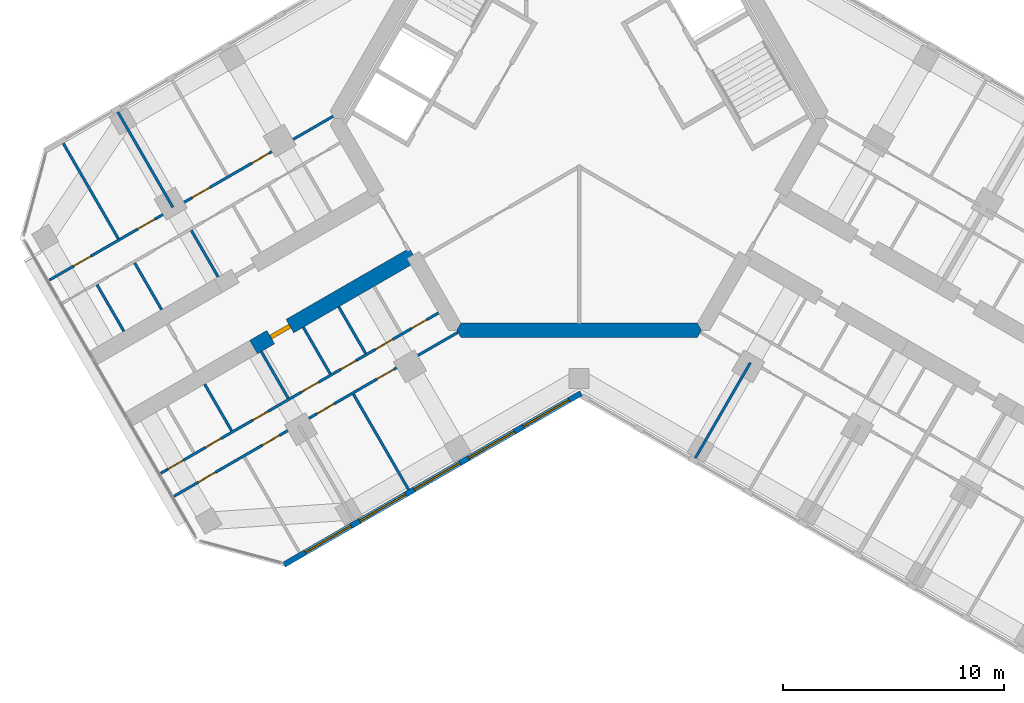
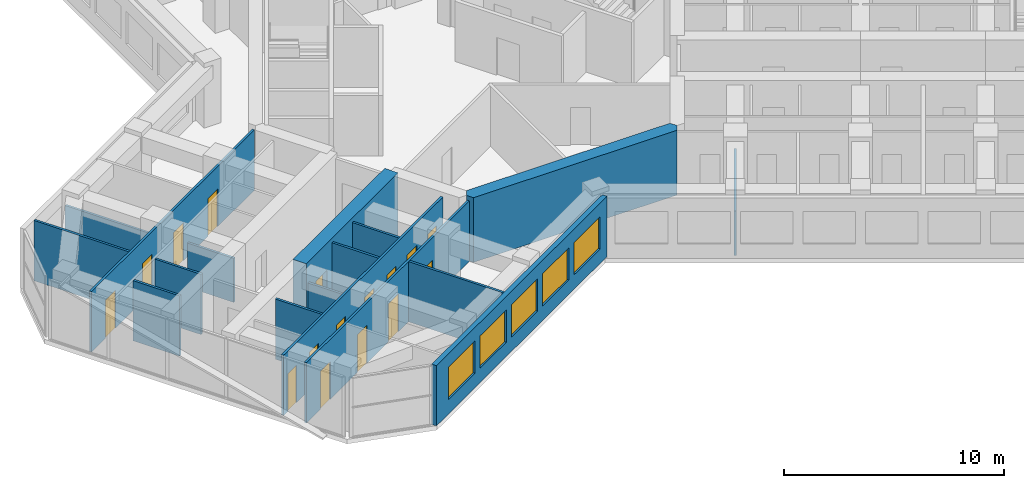
# One storey, part 8 of 16: 17 walls, 16 doors, 5 windows, 21 openings.
"""IFC4 building model written with IfcOpenShell, lengths in metres."""

from ifc_helpers import new_model, si_unit, direction, frame, frame_2d, origin, place, context, subcontext, project, spatial, polyline, rectangle, outline, extrude, material, layer, layer_set, type_object, element, fill, save


model = new_model("IFC4")

# Units and contexts
model_context = context("Model", 3, precision=1e-05, world=origin(), true_north=direction((0.0, 1.0)))
body_context = subcontext(model_context, "Body", "Model", "MODEL_VIEW")
ifc_project = project(units=[si_unit("LENGTHUNIT", "METRE"), si_unit("AREAUNIT", "SQUARE_METRE"), si_unit("VOLUMEUNIT", "CUBIC_METRE"), si_unit("PLANEANGLEUNIT", "RADIAN"), si_unit("MASSUNIT", "GRAM", prefix="KILO")], contexts=[model_context])

# Site, building, storey
site_placement = place(None, origin())
site = spatial("IfcSite", under=ifc_project, at=site_placement, CompositionType="ELEMENT")
building_placement = place(site_placement, origin())
building = spatial("IfcBuilding", under=site, at=building_placement, Name="Kosmar Iwan School Tower", CompositionType="ELEMENT")
storey_placement = place(building_placement, frame((0.0, 0.0, 211.800048828125)))
storey = spatial("IfcBuildingStorey", under=building, at=storey_placement, Name="L53", CompositionType="ELEMENT", Elevation=211.800048828125)

# Wall
ifc_material_1 = material(Name="Concrete C50/60", Category="concrete")
ifc_layer_1 = layer(ifc_material_1, 0.64990234375)
ifc_layer_set_1 = layer_set([ifc_layer_1], Name="Core wall 650")
wall_type_1 = type_object("IfcWallType", Name="Core wall 650", PredefinedType="SHEAR", material=ifc_layer_set_1)
wall_1_placement = place(storey_placement, origin())
element("IfcWall", 1, at=wall_1_placement, inside=storey, type_object=wall_type_1, Name="Core wall F270", PredefinedType="SHEAR", context=body_context, shape_type="SweptSolid", body=[
    extrude(outline(polyline([(-5.35498046875, -9.925048828125), (5.35498046875, -9.925048828125), (5.54248046875, -9.60009765625), (5.35498046875, -9.27490234375), (-5.35498046875, -9.27490234375), (-5.54248046875, -9.60009765625), (-5.35498046875, -9.925048828125)])), origin(), (0.0, 0.0, 1.0), 3.599853515625),
])

# Wall, opening, door
ifc_material_2 = material(Name="Concrete C50/60", Category="concrete")
ifc_layer_2 = layer(ifc_material_2, 0.699951171875)
ifc_layer_set_2 = layer_set([ifc_layer_2], Name="Corridor buttress wall 700")
wall_type_2 = type_object("IfcWallType", Name="Corridor buttress wall 700", PredefinedType="SHEAR", material=ifc_layer_set_2)
wall_2_placement = place(storey_placement, frame((-7.513916015625, -6.185546875, 0.0), z_axis=(0.0, 0.0, 1.0), x_axis=(-0.866019549707, -0.500010139422, 0.0)))
wall_2 = element("IfcWall", 2, at=wall_2_placement, inside=storey, type_object=wall_type_2, Name="Corridor wall BL", PredefinedType="SHEAR", context=body_context, shape_type="SweptSolid", body=[
    extrude(rectangle(XDim=8.349853515625, YDim=0.699951171875, at=frame_2d((4.1748046875, 0.0))), origin(), (0.0, 0.0, 1.0), 3.599853515625),
])
opening_1_placement = place(wall_2_placement, frame((6.449951171875, 0.0, 0.0)))
opening_1 = element("IfcOpeningElement", 3, at=opening_1_placement, cuts=wall_2, Name="Opening D1", PredefinedType="OPENING", context=body_context, shape_type="SweptSolid", body=[
    extrude(rectangle(XDim=1.0, YDim=2.10009765625, at=frame_2d((0.5, 1.050048828125))), frame((0.0, 0.362060546875, 0.0), z_axis=(0.0, -1.0, 0.0), x_axis=(1.0, 0.0, 0.0)), (0.0, 0.0, 1.0), 0.723876953125),
])
ifc_material_3 = material(Name="Timber fire door in steel frame", Category="steel")
door_type_1 = type_object("IfcDoorType", Name="Flat entrance door 1000x2100", OperationType="SINGLE_SWING_LEFT", PredefinedType="DOOR", material=ifc_material_3)
door_1_placement = place(opening_1_placement, origin())
door_1 = element("IfcDoor", 4, at=door_1_placement, inside=storey, type_object=door_type_1, Name="Flat L53-BL1 entrance door", OperationType="SINGLE_SWING_LEFT", OverallHeight=2.10009765625, OverallWidth=1.0, PredefinedType="DOOR", context=body_context, shape_type="SweptSolid", body=[
    extrude(rectangle(XDim=1.0, YDim=2.10009765625, at=frame_2d((0.5, 1.050048828125))), frame((0.0, 0.10009765625, 0.0), z_axis=(0.0, -1.0, 0.0), x_axis=(1.0, 0.0, 0.0)), (0.0, 0.0, 1.0), 0.199951171875),
])
fill(opening_1, door_1)

# Wall, openings, doors
ifc_material_4 = material(Name="Gypsum board on steel studs", Category="steel")
ifc_layer_3 = layer(ifc_material_4, 0.1201171875)
ifc_layer_set_3 = layer_set([ifc_layer_3], Name="Dwelling partition 120")
wall_type_3 = type_object("IfcWallType", Name="Dwelling partition 120", PredefinedType="PARTITIONING", material=ifc_layer_set_3)
wall_3_placement = place(storey_placement, frame((-6.370361328125, -8.81640625, 0.0), z_axis=(0.0, 0.0, 1.0), x_axis=(-0.866025425371, -0.499999962611, 0.0)))
wall_3 = element("IfcWall", 5, at=wall_3_placement, inside=storey, type_object=wall_type_3, Name="Partition L53-BL1-W1", PredefinedType="PARTITIONING", context=body_context, shape_type="SweptSolid", body=[
    extrude(rectangle(XDim=14.52001953125, YDim=0.1201171875, at=frame_2d((7.260009765625, 0.0))), origin(), (0.0, 0.0, 1.0), 3.349853515625),
])
opening_2_placement = place(wall_3_placement, frame((0.60009765625, 0.0, 0.0)))
opening_2 = element("IfcOpeningElement", 6, at=opening_2_placement, cuts=wall_3, Name="Opening D3", PredefinedType="OPENING", context=body_context, shape_type="SweptSolid", body=[
    extrude(rectangle(XDim=0.800048828125, YDim=2.10009765625, at=frame_2d((0.39990234375, 1.050048828125))), frame((0.0, 0.072021484375, 0.0), z_axis=(0.0, -1.0, 0.0), x_axis=(1.0, 0.0, 0.0)), (0.0, 0.0, 1.0), 0.14404296875),
])
opening_3_placement = place(wall_3_placement, frame((2.39990234375, 0.0, 0.0)))
opening_3 = element("IfcOpeningElement", 7, at=opening_3_placement, cuts=wall_3, Name="Opening D2", PredefinedType="OPENING", context=body_context, shape_type="SweptSolid", body=[
    extrude(rectangle(XDim=0.89990234375, YDim=2.10009765625, at=frame_2d((0.449951171875, 1.050048828125))), frame((0.0, 0.072021484375, 0.0), z_axis=(0.0, -1.0, 0.0), x_axis=(1.0, 0.0, 0.0)), (0.0, 0.0, 1.0), 0.14404296875),
])
opening_4_placement = place(wall_3_placement, frame((4.300048828125, 0.0, 0.0)))
opening_4 = element("IfcOpeningElement", 8, at=opening_4_placement, cuts=wall_3, Name="Opening D3", PredefinedType="OPENING", context=body_context, shape_type="SweptSolid", body=[
    extrude(rectangle(XDim=0.800048828125, YDim=2.10009765625, at=frame_2d((0.39990234375, 1.050048828125))), frame((0.0, 0.072021484375, 0.0), z_axis=(0.0, -1.0, 0.0), x_axis=(1.0, 0.0, 0.0)), (0.0, 0.0, 1.0), 0.14404296875),
])
opening_5_placement = place(wall_3_placement, frame((6.27490234375, 0.0, 0.0)))
opening_5 = element("IfcOpeningElement", 9, at=opening_5_placement, cuts=wall_3, Name="Opening D2", PredefinedType="OPENING", context=body_context, shape_type="SweptSolid", body=[
    extrude(rectangle(XDim=0.89990234375, YDim=2.10009765625, at=frame_2d((0.449951171875, 1.050048828125))), frame((0.0, 0.072021484375, 0.0), z_axis=(0.0, -1.0, 0.0), x_axis=(1.0, 0.0, 0.0)), (0.0, 0.0, 1.0), 0.14404296875),
])
opening_6_placement = place(wall_3_placement, frame((8.903564453125, 0.0, 0.0)))
opening_6 = element("IfcOpeningElement", 10, at=opening_6_placement, cuts=wall_3, Name="Opening D3", PredefinedType="OPENING", context=body_context, shape_type="SweptSolid", body=[
    extrude(rectangle(XDim=0.800048828125, YDim=2.10009765625, at=frame_2d((0.39990234375, 1.050048828125))), frame((0.0, 0.072021484375, 0.0), z_axis=(0.0, -1.0, 0.0), x_axis=(1.0, 0.0, 0.0)), (0.0, 0.0, 1.0), 0.14404296875),
])
opening_7_placement = place(wall_3_placement, frame((11.367919921875, 0.0, 0.0)))
opening_7 = element("IfcOpeningElement", 11, at=opening_7_placement, cuts=wall_3, Name="Opening D3", PredefinedType="OPENING", context=body_context, shape_type="SweptSolid", body=[
    extrude(rectangle(XDim=0.800048828125, YDim=2.10009765625, at=frame_2d((0.39990234375, 1.050048828125))), frame((0.0, 0.072021484375, 0.0), z_axis=(0.0, -1.0, 0.0), x_axis=(1.0, 0.0, 0.0)), (0.0, 0.0, 1.0), 0.14404296875),
])
opening_8_placement = place(wall_3_placement, frame((13.33935546875, 0.0, 0.0)))
opening_8 = element("IfcOpeningElement", 12, at=opening_8_placement, cuts=wall_3, Name="Opening D3", PredefinedType="OPENING", context=body_context, shape_type="SweptSolid", body=[
    extrude(rectangle(XDim=0.800048828125, YDim=2.10009765625, at=frame_2d((0.39990234375, 1.050048828125))), frame((0.0, 0.072021484375, 0.0), z_axis=(0.0, -1.0, 0.0), x_axis=(1.0, 0.0, 0.0)), (0.0, 0.0, 1.0), 0.14404296875),
])
ifc_material_5 = material(Name="Timber door in timber frame", Category="wood")
door_type_2 = type_object("IfcDoorType", Name="Internal door 900x2100", OperationType="SINGLE_SWING_LEFT", PredefinedType="DOOR", material=ifc_material_5)
door_2_placement = place(opening_3_placement, origin())
door_2 = element("IfcDoor", 13, at=door_2_placement, inside=storey, type_object=door_type_2, Name="Pantry door L53-BL1-S2", OperationType="SINGLE_SWING_RIGHT", OverallHeight=2.10009765625, OverallWidth=0.89990234375, PredefinedType="DOOR", context=body_context, shape_type="SweptSolid", body=[
    extrude(rectangle(XDim=0.89990234375, YDim=2.10009765625, at=frame_2d((0.449951171875, 1.050048828125))), frame((0.0, 0.02490234375, 0.0), z_axis=(0.0, -1.0, 0.0), x_axis=(1.0, 0.0, 0.0)), (0.0, 0.0, 1.0), 0.050048828125),
])
fill(opening_3, door_2)
door_3_placement = place(opening_5_placement, origin())
door_3 = element("IfcDoor", 14, at=door_3_placement, inside=storey, type_object=door_type_2, Name="Entrance hall door L53-BL1-S4", OperationType="SINGLE_SWING_LEFT", OverallHeight=2.10009765625, OverallWidth=0.89990234375, PredefinedType="DOOR", context=body_context, shape_type="SweptSolid", body=[
    extrude(rectangle(XDim=0.89990234375, YDim=2.10009765625, at=frame_2d((0.449951171875, 1.050048828125))), frame((0.0, 0.02490234375, 0.0), z_axis=(0.0, -1.0, 0.0), x_axis=(1.0, 0.0, 0.0)), (0.0, 0.0, 1.0), 0.050048828125),
])
fill(opening_5, door_3)
ifc_material_6 = material(Name="Timber door in timber frame", Category="wood")
door_type_3 = type_object("IfcDoorType", Name="Sanitary room door 800x2100", OperationType="SINGLE_SWING_LEFT", PredefinedType="DOOR", material=ifc_material_6)
door_4_placement = place(opening_2_placement, origin())
door_4 = element("IfcDoor", 15, at=door_4_placement, inside=storey, type_object=door_type_3, Name="Store door L53-BL1-S1", OperationType="SINGLE_SWING_LEFT", OverallHeight=2.10009765625, OverallWidth=0.800048828125, PredefinedType="DOOR", context=body_context, shape_type="SweptSolid", body=[
    extrude(rectangle(XDim=0.800048828125, YDim=2.10009765625, at=frame_2d((0.39990234375, 1.050048828125))), frame((0.0, 0.02490234375, 0.0), z_axis=(0.0, -1.0, 0.0), x_axis=(1.0, 0.0, 0.0)), (0.0, 0.0, 1.0), 0.050048828125),
])
fill(opening_2, door_4)
door_5_placement = place(opening_4_placement, origin())
door_5 = element("IfcDoor", 16, at=door_5_placement, inside=storey, type_object=door_type_3, Name="Grandparents' shower room door L53-BL1-S3", OperationType="SINGLE_SWING_LEFT", OverallHeight=2.10009765625, OverallWidth=0.800048828125, PredefinedType="DOOR", context=body_context, shape_type="SweptSolid", body=[
    extrude(rectangle(XDim=0.800048828125, YDim=2.10009765625, at=frame_2d((0.39990234375, 1.050048828125))), frame((0.0, 0.02490234375, 0.0), z_axis=(0.0, -1.0, 0.0), x_axis=(1.0, 0.0, 0.0)), (0.0, 0.0, 1.0), 0.050048828125),
])
fill(opening_4, door_5)
door_6_placement = place(opening_6_placement, origin())
door_6 = element("IfcDoor", 17, at=door_6_placement, inside=storey, type_object=door_type_3, Name="Bathroom door L53-BL1-S5", OperationType="SINGLE_SWING_RIGHT", OverallHeight=2.10009765625, OverallWidth=0.800048828125, PredefinedType="DOOR", context=body_context, shape_type="SweptSolid", body=[
    extrude(rectangle(XDim=0.800048828125, YDim=2.10009765625, at=frame_2d((0.39990234375, 1.050048828125))), frame((0.0, 0.02490234375, 0.0), z_axis=(0.0, -1.0, 0.0), x_axis=(1.0, 0.0, 0.0)), (0.0, 0.0, 1.0), 0.050048828125),
])
fill(opening_6, door_6)
door_7_placement = place(opening_7_placement, origin())
door_7 = element("IfcDoor", 18, at=door_7_placement, inside=storey, type_object=door_type_3, Name="Shower room door L53-BL1-S6", OperationType="SINGLE_SWING_RIGHT", OverallHeight=2.10009765625, OverallWidth=0.800048828125, PredefinedType="DOOR", context=body_context, shape_type="SweptSolid", body=[
    extrude(rectangle(XDim=0.800048828125, YDim=2.10009765625, at=frame_2d((0.39990234375, 1.050048828125))), frame((0.0, 0.02490234375, 0.0), z_axis=(0.0, -1.0, 0.0), x_axis=(1.0, 0.0, 0.0)), (0.0, 0.0, 1.0), 0.050048828125),
])
fill(opening_7, door_7)
door_8_placement = place(opening_8_placement, origin())
door_8 = element("IfcDoor", 19, at=door_8_placement, inside=storey, type_object=door_type_3, Name="WC door L53-BL1-S7", OperationType="SINGLE_SWING_RIGHT", OverallHeight=2.10009765625, OverallWidth=0.800048828125, PredefinedType="DOOR", context=body_context, shape_type="SweptSolid", body=[
    extrude(rectangle(XDim=0.800048828125, YDim=2.10009765625, at=frame_2d((0.39990234375, 1.050048828125))), frame((0.0, 0.02490234375, 0.0), z_axis=(0.0, -1.0, 0.0), x_axis=(1.0, 0.0, 0.0)), (0.0, 0.0, 1.0), 0.050048828125),
])
fill(opening_8, door_8)

wall_4_placement = place(storey_placement, frame((-5.48876953125, -9.693115234375, 0.0), z_axis=(0.0, 0.0, 1.0), x_axis=(-0.866030301974, -0.499991515992, 0.0)))
wall_4 = element("IfcWall", 20, at=wall_4_placement, inside=storey, type_object=wall_type_3, Name="Partition L53-BL1-W2", PredefinedType="PARTITIONING", context=body_context, shape_type="SweptSolid", body=[
    extrude(rectangle(XDim=14.844970703125, YDim=0.1201171875, at=frame_2d((7.42236328125, 0.0))), origin(), (0.0, 0.0, 1.0), 3.349853515625),
])
opening_9_placement = place(wall_4_placement, frame((3.35009765625, 0.0, 0.0)))
opening_9 = element("IfcOpeningElement", 21, at=opening_9_placement, cuts=wall_4, Name="Opening D2", PredefinedType="OPENING", context=body_context, shape_type="SweptSolid", body=[
    extrude(rectangle(XDim=0.89990234375, YDim=2.10009765625, at=frame_2d((0.449951171875, 1.050048828125))), frame((0.0, 0.072021484375, 0.0), z_axis=(0.0, -1.0, 0.0), x_axis=(1.0, 0.0, 0.0)), (0.0, 0.0, 1.0), 0.14404296875),
])
opening_10_placement = place(wall_4_placement, frame((6.47509765625, 0.0, 0.0)))
opening_10 = element("IfcOpeningElement", 22, at=opening_10_placement, cuts=wall_4, Name="Opening D2", PredefinedType="OPENING", context=body_context, shape_type="SweptSolid", body=[
    extrude(rectangle(XDim=0.89990234375, YDim=2.10009765625, at=frame_2d((0.449951171875, 1.050048828125))), frame((0.0, 0.072021484375, 0.0), z_axis=(0.0, -1.0, 0.0), x_axis=(1.0, 0.0, 0.0)), (0.0, 0.0, 1.0), 0.14404296875),
])
opening_11_placement = place(wall_4_placement, frame((9.324951171875, 0.0, 0.0)))
opening_11 = element("IfcOpeningElement", 23, at=opening_11_placement, cuts=wall_4, Name="Opening D2", PredefinedType="OPENING", context=body_context, shape_type="SweptSolid", body=[
    extrude(rectangle(XDim=0.89990234375, YDim=2.10009765625, at=frame_2d((0.449951171875, 1.050048828125))), frame((0.0, 0.072021484375, 0.0), z_axis=(0.0, -1.0, 0.0), x_axis=(1.0, 0.0, 0.0)), (0.0, 0.0, 1.0), 0.14404296875),
])
opening_12_placement = place(wall_4_placement, frame((12.675048828125, 0.0, 0.0)))
opening_12 = element("IfcOpeningElement", 24, at=opening_12_placement, cuts=wall_4, Name="Opening D2", PredefinedType="OPENING", context=body_context, shape_type="SweptSolid", body=[
    extrude(rectangle(XDim=0.89990234375, YDim=2.10009765625, at=frame_2d((0.449951171875, 1.050048828125))), frame((0.0, 0.072021484375, 0.0), z_axis=(0.0, -1.0, 0.0), x_axis=(1.0, 0.0, 0.0)), (0.0, 0.0, 1.0), 0.14404296875),
])
door_9_placement = place(opening_9_placement, origin())
door_9 = element("IfcDoor", 25, at=door_9_placement, inside=storey, type_object=door_type_2, Name="Grandparents' suite door L53-BL1-F1", OperationType="SINGLE_SWING_RIGHT", OverallHeight=2.10009765625, OverallWidth=0.89990234375, PredefinedType="DOOR", context=body_context, shape_type="SweptSolid", body=[
    extrude(rectangle(XDim=0.89990234375, YDim=2.10009765625, at=frame_2d((0.449951171875, 1.050048828125))), frame((0.0, 0.02490234375, 0.0), z_axis=(0.0, -1.0, 0.0), x_axis=(1.0, 0.0, 0.0)), (0.0, 0.0, 1.0), 0.050048828125),
])
fill(opening_9, door_9)
door_10_placement = place(opening_10_placement, origin())
door_10 = element("IfcDoor", 26, at=door_10_placement, inside=storey, type_object=door_type_2, Name="Bedroom 1 door L53-BL1-F2", OperationType="SINGLE_SWING_RIGHT", OverallHeight=2.10009765625, OverallWidth=0.89990234375, PredefinedType="DOOR", context=body_context, shape_type="SweptSolid", body=[
    extrude(rectangle(XDim=0.89990234375, YDim=2.10009765625, at=frame_2d((0.449951171875, 1.050048828125))), frame((0.0, 0.02490234375, 0.0), z_axis=(0.0, -1.0, 0.0), x_axis=(1.0, 0.0, 0.0)), (0.0, 0.0, 1.0), 0.050048828125),
])
fill(opening_10, door_10)
door_11_placement = place(opening_11_placement, origin())
door_11 = element("IfcDoor", 27, at=door_11_placement, inside=storey, type_object=door_type_2, Name="Family room and kitchen door L53-BL1-F3", OperationType="SINGLE_SWING_LEFT", OverallHeight=2.10009765625, OverallWidth=0.89990234375, PredefinedType="DOOR", context=body_context, shape_type="SweptSolid", body=[
    extrude(rectangle(XDim=0.89990234375, YDim=2.10009765625, at=frame_2d((0.449951171875, 1.050048828125))), frame((0.0, 0.02490234375, 0.0), z_axis=(0.0, -1.0, 0.0), x_axis=(1.0, 0.0, 0.0)), (0.0, 0.0, 1.0), 0.050048828125),
])
fill(opening_11, door_11)
door_12_placement = place(opening_12_placement, origin())
door_12 = element("IfcDoor", 28, at=door_12_placement, inside=storey, type_object=door_type_2, Name="Study door L53-BL1-F4", OperationType="SINGLE_SWING_RIGHT", OverallHeight=2.10009765625, OverallWidth=0.89990234375, PredefinedType="DOOR", context=body_context, shape_type="SweptSolid", body=[
    extrude(rectangle(XDim=0.89990234375, YDim=2.10009765625, at=frame_2d((0.449951171875, 1.050048828125))), frame((0.0, 0.02490234375, 0.0), z_axis=(0.0, -1.0, 0.0), x_axis=(1.0, 0.0, 0.0)), (0.0, 0.0, 1.0), 0.050048828125),
])
fill(opening_12, door_12)

# Walls
wall_5_placement = place(storey_placement, frame((-10.221923828125, -12.4951171875, 0.0), z_axis=(0.0, 0.0, 1.0), x_axis=(0.499996339024, -0.86602751744, 0.0)))
element("IfcWall", 29, at=wall_5_placement, inside=storey, type_object=wall_type_3, Name="Partition L53-BL1-X1", PredefinedType="PARTITIONING", context=body_context, shape_type="SweptSolid", body=[
    extrude(rectangle(XDim=4.98974609375, YDim=0.1201171875, at=frame_2d((2.494873046875, 0.0))), origin(), (0.0, 0.0, 1.0), 3.349853515625),
])
wall_6_placement = place(storey_placement, frame((-10.8896484375, -8.538818359375, 0.0), z_axis=(0.0, 0.0, 1.0), x_axis=(0.500077547548, -0.865980627057, 0.0)))
element("IfcWall", 30, at=wall_6_placement, inside=storey, type_object=wall_type_3, Name="Partition L53-BL1-Y2", PredefinedType="PARTITIONING", context=body_context, shape_type="SweptSolid", body=[
    extrude(rectangle(XDim=2.43994140625, YDim=0.1201171875, at=frame_2d((1.219970703125, 0.0))), origin(), (0.0, 0.0, 1.0), 3.349853515625),
])
wall_7_placement = place(storey_placement, frame((-12.49169921875, -9.463623046875, 0.0), z_axis=(0.0, 0.0, 1.0), x_axis=(0.499959183527, -0.866048967903, 0.0)))
element("IfcWall", 31, at=wall_7_placement, inside=storey, type_object=wall_type_3, Name="Partition L53-BL1-Y3", PredefinedType="PARTITIONING", context=body_context, shape_type="SweptSolid", body=[
    extrude(rectangle(XDim=2.440185546875, YDim=0.1201171875, at=frame_2d((1.22021484375, 0.0))), origin(), (0.0, 0.0, 1.0), 3.349853515625),
])
wall_8_placement = place(storey_placement, frame((-14.39697265625, -10.563720703125, 0.0), z_axis=(0.0, 0.0, 1.0), x_axis=(0.500002508028, -0.866023955769, 0.0)))
element("IfcWall", 32, at=wall_8_placement, inside=storey, type_object=wall_type_3, Name="Partition L53-BL1-Y4", PredefinedType="PARTITIONING", context=body_context, shape_type="SweptSolid", body=[
    extrude(rectangle(XDim=2.43994140625, YDim=0.1201171875, at=frame_2d((1.219970703125, 0.0))), origin(), (0.0, 0.0, 1.0), 2.449951171875),
])
wall_9_placement = place(storey_placement, frame((-16.9580078125, -12.042236328125, 0.0), z_axis=(0.0, 0.0, 1.0), x_axis=(0.500034220881, -0.866005645448, 0.0)))
element("IfcWall", 33, at=wall_9_placement, inside=storey, type_object=wall_type_3, Name="Partition L53-BL1-Y5", PredefinedType="PARTITIONING", context=body_context, shape_type="SweptSolid", body=[
    extrude(rectangle(XDim=2.440185546875, YDim=0.1201171875, at=frame_2d((1.22021484375, 0.0))), origin(), (0.0, 0.0, 1.0), 3.349853515625),
])

# Wall, openings, doors
wall_10_placement = place(storey_placement, frame((-11.138916015625, 0.093017578125, 0.0), z_axis=(0.0, 0.0, 1.0), x_axis=(-0.866030301974, -0.499991515992, 0.0)))
wall_10 = element("IfcWall", 34, at=wall_10_placement, inside=storey, type_object=wall_type_3, Name="Partition L53-BR1-W2", PredefinedType="PARTITIONING", context=body_context, shape_type="SweptSolid", body=[
    extrude(rectangle(XDim=14.844970703125, YDim=0.1201171875, at=frame_2d((7.42236328125, 0.0))), origin(), (0.0, 0.0, 1.0), 3.349853515625),
])
opening_13_placement = place(wall_10_placement, frame((3.35009765625, 0.0, 0.0)))
opening_13 = element("IfcOpeningElement", 35, at=opening_13_placement, cuts=wall_10, Name="Opening D2", PredefinedType="OPENING", context=body_context, shape_type="SweptSolid", body=[
    extrude(rectangle(XDim=0.89990234375, YDim=2.10009765625, at=frame_2d((0.449951171875, 1.050048828125))), frame((0.0, 0.072021484375, 0.0), z_axis=(0.0, -1.0, 0.0), x_axis=(1.0, 0.0, 0.0)), (0.0, 0.0, 1.0), 0.14404296875),
])
opening_14_placement = place(wall_10_placement, frame((6.47509765625, 0.0, 0.0)))
opening_14 = element("IfcOpeningElement", 36, at=opening_14_placement, cuts=wall_10, Name="Opening D2", PredefinedType="OPENING", context=body_context, shape_type="SweptSolid", body=[
    extrude(rectangle(XDim=0.89990234375, YDim=2.10009765625, at=frame_2d((0.449951171875, 1.050048828125))), frame((0.0, 0.072021484375, 0.0), z_axis=(0.0, -1.0, 0.0), x_axis=(1.0, 0.0, 0.0)), (0.0, 0.0, 1.0), 0.14404296875),
])
opening_15_placement = place(wall_10_placement, frame((9.324951171875, 0.0, 0.0)))
opening_15 = element("IfcOpeningElement", 37, at=opening_15_placement, cuts=wall_10, Name="Opening D2", PredefinedType="OPENING", context=body_context, shape_type="SweptSolid", body=[
    extrude(rectangle(XDim=0.89990234375, YDim=2.10009765625, at=frame_2d((0.449951171875, 1.050048828125))), frame((0.0, 0.072021484375, 0.0), z_axis=(0.0, -1.0, 0.0), x_axis=(1.0, 0.0, 0.0)), (0.0, 0.0, 1.0), 0.14404296875),
])
opening_16_placement = place(wall_10_placement, frame((12.675048828125, 0.0, 0.0)))
opening_16 = element("IfcOpeningElement", 38, at=opening_16_placement, cuts=wall_10, Name="Opening D2", PredefinedType="OPENING", context=body_context, shape_type="SweptSolid", body=[
    extrude(rectangle(XDim=0.89990234375, YDim=2.10009765625, at=frame_2d((0.449951171875, 1.050048828125))), frame((0.0, 0.072021484375, 0.0), z_axis=(0.0, -1.0, 0.0), x_axis=(1.0, 0.0, 0.0)), (0.0, 0.0, 1.0), 0.14404296875),
])
door_13_placement = place(opening_13_placement, origin())
door_13 = element("IfcDoor", 39, at=door_13_placement, inside=storey, type_object=door_type_2, Name="Grandparents' suite door L53-BR1-F1", OperationType="SINGLE_SWING_LEFT", OverallHeight=2.10009765625, OverallWidth=0.89990234375, PredefinedType="DOOR", context=body_context, shape_type="SweptSolid", body=[
    extrude(rectangle(XDim=0.89990234375, YDim=2.10009765625, at=frame_2d((0.449951171875, 1.050048828125))), frame((0.0, 0.02490234375, 0.0), z_axis=(0.0, -1.0, 0.0), x_axis=(1.0, 0.0, 0.0)), (0.0, 0.0, 1.0), 0.050048828125),
])
fill(opening_13, door_13)
door_14_placement = place(opening_14_placement, origin())
door_14 = element("IfcDoor", 40, at=door_14_placement, inside=storey, type_object=door_type_2, Name="Bedroom 1 door L53-BR1-F2", OperationType="SINGLE_SWING_LEFT", OverallHeight=2.10009765625, OverallWidth=0.89990234375, PredefinedType="DOOR", context=body_context, shape_type="SweptSolid", body=[
    extrude(rectangle(XDim=0.89990234375, YDim=2.10009765625, at=frame_2d((0.449951171875, 1.050048828125))), frame((0.0, 0.02490234375, 0.0), z_axis=(0.0, -1.0, 0.0), x_axis=(1.0, 0.0, 0.0)), (0.0, 0.0, 1.0), 0.050048828125),
])
fill(opening_14, door_14)
door_15_placement = place(opening_15_placement, origin())
door_15 = element("IfcDoor", 41, at=door_15_placement, inside=storey, type_object=door_type_2, Name="Living room and kitchen door L53-BR1-F3", OperationType="SINGLE_SWING_RIGHT", OverallHeight=2.10009765625, OverallWidth=0.89990234375, PredefinedType="DOOR", context=body_context, shape_type="SweptSolid", body=[
    extrude(rectangle(XDim=0.89990234375, YDim=2.10009765625, at=frame_2d((0.449951171875, 1.050048828125))), frame((0.0, 0.02490234375, 0.0), z_axis=(0.0, -1.0, 0.0), x_axis=(1.0, 0.0, 0.0)), (0.0, 0.0, 1.0), 0.050048828125),
])
fill(opening_15, door_15)
door_16_placement = place(opening_16_placement, origin())
door_16 = element("IfcDoor", 42, at=door_16_placement, inside=storey, type_object=door_type_2, Name="Study door L53-BR1-F4", OperationType="SINGLE_SWING_RIGHT", OverallHeight=2.10009765625, OverallWidth=0.89990234375, PredefinedType="DOOR", context=body_context, shape_type="SweptSolid", body=[
    extrude(rectangle(XDim=0.89990234375, YDim=2.10009765625, at=frame_2d((0.449951171875, 1.050048828125))), frame((0.0, 0.02490234375, 0.0), z_axis=(0.0, -1.0, 0.0), x_axis=(1.0, 0.0, 0.0)), (0.0, 0.0, 1.0), 0.050048828125),
])
fill(opening_16, door_16)

# Walls
wall_11_placement = place(storey_placement, frame((-18.400146484375, -4.030029296875, 0.0), z_axis=(0.0, 0.0, 1.0), x_axis=(-0.500011847778, 0.866018563358, 0.0)))
element("IfcWall", 43, at=wall_11_placement, inside=storey, type_object=wall_type_3, Name="Partition L53-BR1-X2", PredefinedType="PARTITIONING", context=body_context, shape_type="SweptSolid", body=[
    extrude(rectangle(XDim=4.990234375, YDim=0.1201171875, at=frame_2d((2.4951171875, 0.0))), origin(), (0.0, 0.0, 1.0), 2.449951171875),
])
wall_12_placement = place(storey_placement, frame((-20.868408203125, -5.455078125, 0.0), z_axis=(0.0, 0.0, 1.0), x_axis=(-0.499975153383, 0.86603974851, 0.0)))
element("IfcWall", 44, at=wall_12_placement, inside=storey, type_object=wall_type_3, Name="Partition L53-BR1-X3", PredefinedType="PARTITIONING", context=body_context, shape_type="SweptSolid", body=[
    extrude(rectangle(XDim=4.989990234375, YDim=0.1201171875, at=frame_2d((2.4951171875, 0.0))), origin(), (0.0, 0.0, 1.0), 3.349853515625),
])
wall_13_placement = place(storey_placement, frame((-16.346923828125, -7.186279296875, 0.0), z_axis=(0.0, 0.0, 1.0), x_axis=(-0.500002508028, 0.866023955769, 0.0)))
element("IfcWall", 45, at=wall_13_placement, inside=storey, type_object=wall_type_3, Name="Partition L53-BR1-Y4", PredefinedType="PARTITIONING", context=body_context, shape_type="SweptSolid", body=[
    extrude(rectangle(XDim=2.43994140625, YDim=0.1201171875, at=frame_2d((1.219970703125, 0.0))), origin(), (0.0, 0.0, 1.0), 2.449951171875),
])
wall_14_placement = place(storey_placement, frame((-18.907958984375, -8.664794921875, 0.0), z_axis=(0.0, 0.0, 1.0), x_axis=(-0.500002508028, 0.866023955769, 0.0)))
element("IfcWall", 46, at=wall_14_placement, inside=storey, type_object=wall_type_3, Name="Partition L53-BR1-Y5", PredefinedType="PARTITIONING", context=body_context, shape_type="SweptSolid", body=[
    extrude(rectangle(XDim=2.43994140625, YDim=0.1201171875, at=frame_2d((1.219970703125, 0.0))), origin(), (0.0, 0.0, 1.0), 3.349853515625),
])
wall_15_placement = place(storey_placement, frame((-20.615234375, -9.650634765625, 0.0), z_axis=(0.0, 0.0, 1.0), x_axis=(-0.499959183527, 0.866048967903, 0.0)))
element("IfcWall", 47, at=wall_15_placement, inside=storey, type_object=wall_type_3, Name="Partition L53-BR1-Y6", PredefinedType="PARTITIONING", context=body_context, shape_type="SweptSolid", body=[
    extrude(rectangle(XDim=2.440185546875, YDim=0.1201171875, at=frame_2d((1.22021484375, 0.0))), origin(), (0.0, 0.0, 1.0), 3.349853515625),
])
wall_16_placement = place(storey_placement, frame((7.75390625, -11.070068359375, 0.0), z_axis=(0.0, 0.0, 1.0), x_axis=(-0.500011847778, -0.866018563358, 0.0)))
element("IfcWall", 48, at=wall_16_placement, inside=storey, type_object=wall_type_3, Name="Partition L53-CR1-X1", PredefinedType="PARTITIONING", context=body_context, shape_type="SweptSolid", body=[
    extrude(rectangle(XDim=4.990234375, YDim=0.1201171875, at=frame_2d((2.4951171875, 0.0))), origin(), (0.0, 0.0, 1.0), 2.449951171875),
])

# Wall, openings, windows
ifc_material_7 = material(Name="Black aluminium rainscreen on insulated framing", Category="aluminium")
ifc_layer_4 = layer(ifc_material_7, 0.25)
ifc_layer_set_4 = layer_set([ifc_layer_4], Name="External wall rainscreen 250")
wall_type_4 = type_object("IfcWallType", Name="External wall rainscreen 250", PredefinedType="SOLIDWALL", material=ifc_layer_set_4)
wall_17_placement = place(storey_placement, frame((0.088134765625, -12.44873046875, 0.0), z_axis=(0.0, 0.0, 1.0), x_axis=(-0.866029894971, -0.499992220956, 0.0)))
wall_17 = element("IfcWall", 49, at=wall_17_placement, inside=storey, type_object=wall_type_4, Name="External wall BL L53", PredefinedType="SOLIDWALL", context=body_context, shape_type="SweptSolid", body=[
    extrude(rectangle(XDim=15.537353515625, YDim=0.25, at=frame_2d((7.7685546875, 0.0))), origin(), (0.0, 0.0, 1.0), 3.349853515625),
])
opening_17_placement = place(wall_17_placement, frame((0.626953125, 0.0, 0.800048828125)))
opening_17 = element("IfcOpeningElement", 50, at=opening_17_placement, cuts=wall_17, Name="Opening W5", PredefinedType="OPENING", context=body_context, shape_type="SweptSolid", body=[
    extrude(rectangle(XDim=2.39990234375, YDim=1.800048828125, at=frame_2d((1.199951171875, 0.89990234375))), frame((0.0, 0.136962890625, 0.0), z_axis=(0.0, -1.0, 0.0), x_axis=(1.0, 0.0, 0.0)), (0.0, 0.0, 1.0), 0.27392578125),
])
opening_18_placement = place(wall_17_placement, frame((3.47705078125, 0.0, 0.800048828125)))
opening_18 = element("IfcOpeningElement", 51, at=opening_18_placement, cuts=wall_17, Name="Opening W5", PredefinedType="OPENING", context=body_context, shape_type="SweptSolid", body=[
    extrude(rectangle(XDim=2.39990234375, YDim=1.800048828125, at=frame_2d((1.199951171875, 0.89990234375))), frame((0.0, 0.136962890625, 0.0), z_axis=(0.0, -1.0, 0.0), x_axis=(1.0, 0.0, 0.0)), (0.0, 0.0, 1.0), 0.27392578125),
])
opening_19_placement = place(wall_17_placement, frame((6.326904296875, 0.0, 0.800048828125)))
opening_19 = element("IfcOpeningElement", 52, at=opening_19_placement, cuts=wall_17, Name="Opening W5", PredefinedType="OPENING", context=body_context, shape_type="SweptSolid", body=[
    extrude(rectangle(XDim=2.39990234375, YDim=1.800048828125, at=frame_2d((1.199951171875, 0.89990234375))), frame((0.0, 0.136962890625, 0.0), z_axis=(0.0, -1.0, 0.0), x_axis=(1.0, 0.0, 0.0)), (0.0, 0.0, 1.0), 0.27392578125),
])
opening_20_placement = place(wall_17_placement, frame((9.177001953125, 0.0, 0.800048828125)))
opening_20 = element("IfcOpeningElement", 53, at=opening_20_placement, cuts=wall_17, Name="Opening W5", PredefinedType="OPENING", context=body_context, shape_type="SweptSolid", body=[
    extrude(rectangle(XDim=2.39990234375, YDim=1.800048828125, at=frame_2d((1.199951171875, 0.89990234375))), frame((0.0, 0.136962890625, 0.0), z_axis=(0.0, -1.0, 0.0), x_axis=(1.0, 0.0, 0.0)), (0.0, 0.0, 1.0), 0.27392578125),
])
opening_21_placement = place(wall_17_placement, frame((12.027099609375, 0.0, 0.800048828125)))
opening_21 = element("IfcOpeningElement", 54, at=opening_21_placement, cuts=wall_17, Name="Opening W5", PredefinedType="OPENING", context=body_context, shape_type="SweptSolid", body=[
    extrude(rectangle(XDim=2.39990234375, YDim=1.800048828125, at=frame_2d((1.199951171875, 0.89990234375))), frame((0.0, 0.136962890625, 0.0), z_axis=(0.0, -1.0, 0.0), x_axis=(1.0, 0.0, 0.0)), (0.0, 0.0, 1.0), 0.27392578125),
])
ifc_material_8 = material(Name="Black aluminium frame with dark triple glazing", Category="aluminium")
window_type = type_object("IfcWindowType", Name="Window 2400x1800", PartitioningType="SINGLE_PANEL", PredefinedType="WINDOW", material=ifc_material_8)
window_1_placement = place(opening_17_placement, origin())
window_1 = element("IfcWindow", 55, at=window_1_placement, inside=storey, type_object=window_type, Name="Window BL L53 -1", OverallHeight=1.800048828125, OverallWidth=2.39990234375, PartitioningType="SINGLE_PANEL", PredefinedType="WINDOW", context=body_context, shape_type="SweptSolid", body=[
    extrude(rectangle(XDim=2.39990234375, YDim=1.800048828125, at=frame_2d((1.199951171875, 0.89990234375))), frame((0.0, 0.030029296875, 0.0), z_axis=(0.0, -1.0, 0.0), x_axis=(1.0, 0.0, 0.0)), (0.0, 0.0, 1.0), 0.06005859375),
])
fill(opening_17, window_1)
window_2_placement = place(opening_18_placement, origin())
window_2 = element("IfcWindow", 56, at=window_2_placement, inside=storey, type_object=window_type, Name="Window BL L53 0", OverallHeight=1.800048828125, OverallWidth=2.39990234375, PartitioningType="SINGLE_PANEL", PredefinedType="WINDOW", context=body_context, shape_type="SweptSolid", body=[
    extrude(rectangle(XDim=2.39990234375, YDim=1.800048828125, at=frame_2d((1.199951171875, 0.89990234375))), frame((0.0, 0.030029296875, 0.0), z_axis=(0.0, -1.0, 0.0), x_axis=(1.0, 0.0, 0.0)), (0.0, 0.0, 1.0), 0.06005859375),
])
fill(opening_18, window_2)
window_3_placement = place(opening_19_placement, origin())
window_3 = element("IfcWindow", 57, at=window_3_placement, inside=storey, type_object=window_type, Name="Window BL L53 1", OverallHeight=1.800048828125, OverallWidth=2.39990234375, PartitioningType="SINGLE_PANEL", PredefinedType="WINDOW", context=body_context, shape_type="SweptSolid", body=[
    extrude(rectangle(XDim=2.39990234375, YDim=1.800048828125, at=frame_2d((1.199951171875, 0.89990234375))), frame((0.0, 0.030029296875, 0.0), z_axis=(0.0, -1.0, 0.0), x_axis=(1.0, 0.0, 0.0)), (0.0, 0.0, 1.0), 0.06005859375),
])
fill(opening_19, window_3)
window_4_placement = place(opening_20_placement, origin())
window_4 = element("IfcWindow", 58, at=window_4_placement, inside=storey, type_object=window_type, Name="Window BL L53 2", OverallHeight=1.800048828125, OverallWidth=2.39990234375, PartitioningType="SINGLE_PANEL", PredefinedType="WINDOW", context=body_context, shape_type="SweptSolid", body=[
    extrude(rectangle(XDim=2.39990234375, YDim=1.800048828125, at=frame_2d((1.199951171875, 0.89990234375))), frame((0.0, 0.030029296875, 0.0), z_axis=(0.0, -1.0, 0.0), x_axis=(1.0, 0.0, 0.0)), (0.0, 0.0, 1.0), 0.06005859375),
])
fill(opening_20, window_4)
window_5_placement = place(opening_21_placement, origin())
window_5 = element("IfcWindow", 59, at=window_5_placement, inside=storey, type_object=window_type, Name="Window BL L53 3", OverallHeight=1.800048828125, OverallWidth=2.39990234375, PartitioningType="SINGLE_PANEL", PredefinedType="WINDOW", context=body_context, shape_type="SweptSolid", body=[
    extrude(rectangle(XDim=2.39990234375, YDim=1.800048828125, at=frame_2d((1.199951171875, 0.89990234375))), frame((0.0, 0.030029296875, 0.0), z_axis=(0.0, -1.0, 0.0), x_axis=(1.0, 0.0, 0.0)), (0.0, 0.0, 1.0), 0.06005859375),
])
fill(opening_21, window_5)

save(model, "model.ifc")
